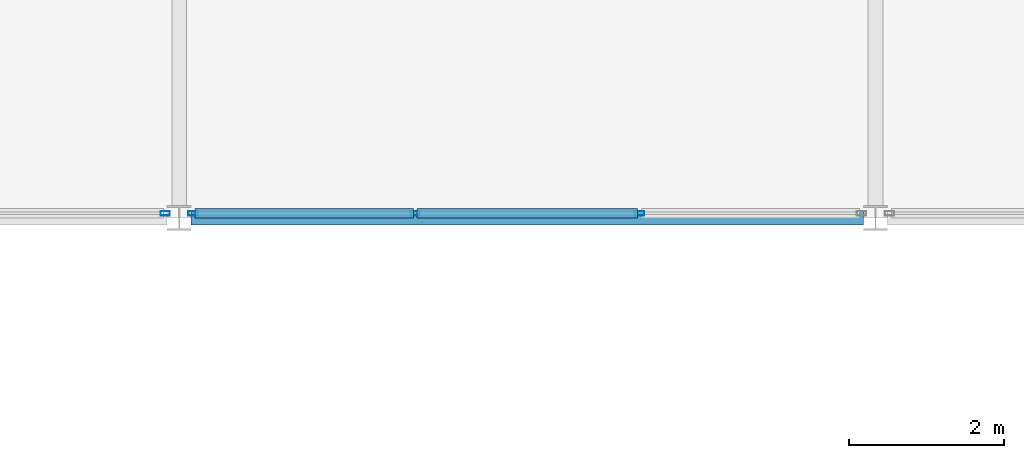
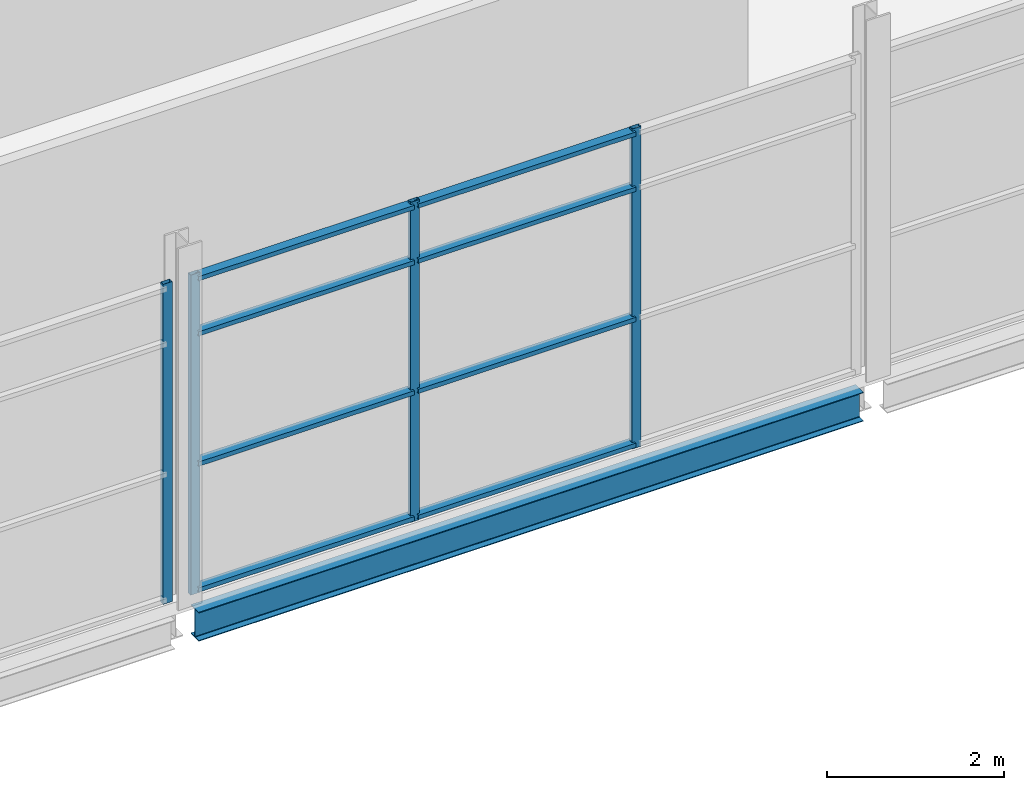
# One storey, part 48 of 112: 12 members, 1 beam, 2 elements without a shape of their own.
"""IFC4 building model written with IfcOpenShell, lengths in metres."""

from ifc_helpers import new_model, si_unit, direction, frame, origin, origin_2d, place, context, subcontext, project, spatial, hollow_rectangle, i_section, extrude, material, layer, layer_set, material_profile, profile_set, type_object, element, aggregate, save


model = new_model("IFC4")

# Units and contexts
model_context = context("Model", 3, precision=1e-05, world=origin(), true_north=direction((0.0, 1.0)))
body_context = subcontext(model_context, "Body", "Model", "MODEL_VIEW")
ifc_project = project(units=[si_unit("LENGTHUNIT", "METRE"), si_unit("AREAUNIT", "SQUARE_METRE"), si_unit("VOLUMEUNIT", "CUBIC_METRE"), si_unit("PLANEANGLEUNIT", "RADIAN"), si_unit("MASSUNIT", "GRAM", prefix="KILO")], contexts=[model_context])

# Site, building, storey
site_placement = place(None, origin())
site = spatial("IfcSite", under=ifc_project, at=site_placement, CompositionType="ELEMENT")
building_placement = place(site_placement, origin())
building = spatial("IfcBuilding", under=site, at=building_placement, Name="Shorebreak Coast Museum", CompositionType="ELEMENT")
storey_placement = place(building_placement, frame((0.0, 0.0, 6.0)))
storey = spatial("IfcBuildingStorey", under=building, at=storey_placement, Name="L01", CompositionType="ELEMENT", Elevation=6.0)

# Beam
ifc_material_1 = material(Name="Steel Grade 300", Category="steel")
ifc_material_profile_1 = material_profile(ifc_material_1, i_section(OverallWidth=0.177978515625, OverallDepth=0.402587890625, WebThickness=0.007568359375, FlangeThickness=0.010986328125, FilletRadius=0.011474609375, at=origin_2d()), Name="410UB53.7")
ifc_profile_set_1 = profile_set([ifc_material_profile_1], Name="Steel Grade 300")
beam_type = type_object("IfcBeamType", Name="Floor girder east-west 410UB53.7", PredefinedType="BEAM", material=ifc_profile_set_1)
beam_placement = place(storey_placement, frame((90.155517578125, 81.0, -0.376220703125), z_axis=(1.0, 0.0, 0.0), x_axis=(0.0, 1.0, 0.0)))
element("IfcBeam", 1, at=beam_placement, inside=storey, type_object=beam_type, Name="Floor girder east-west L01 11K", PredefinedType="BEAM", context=body_context, shape_type="SweptSolid", body=[
    extrude(i_section(OverallWidth=0.177978515625, OverallDepth=0.402587890625, WebThickness=0.007568359375, FlangeThickness=0.010986328125, FilletRadius=0.011474609375, at=origin_2d()), origin(), (0.0, 0.0, 1.0), 8.68896484375),
])

# Curtain wall, member
ifc_material_2 = material(Name="Aluminium", Category="aluminium")
ifc_layer = layer(ifc_material_2, 0.1201171875)
ifc_layer_set = layer_set([ifc_layer], Name="Aluminium")
curtain_wall_type = type_object("IfcCurtainWallType", Name="Atrium fire screen", PredefinedType="NOTDEFINED", material=ifc_layer_set)
curtain_wall_1_placement = place(storey_placement, origin())
curtain_wall_1 = element("IfcCurtainWall", 2, at=curtain_wall_1_placement, inside=storey, type_object=curtain_wall_type, Name="Atrium screen L01 N 9", PredefinedType="NOTDEFINED")
ifc_material_3 = material(Name="Aluminium", Category="aluminium")
ifc_material_profile_2 = material_profile(ifc_material_3, hollow_rectangle(XDim=0.06005859375, YDim=0.1201171875, WallThickness=0.00341796875, at=origin_2d()), Name="AL 120x60 RHS")
ifc_profile_set_2 = profile_set([ifc_material_profile_2], Name="Aluminium")
member_type_1 = type_object("IfcMemberType", Name="Screen mullion 50 x 120", PredefinedType="MULLION", material=ifc_profile_set_2)
member_1_placement = place(storey_placement, frame((89.819580078125, 81.06005859375, 0.0), z_axis=(0.0, 0.0, 1.0), x_axis=(0.0, 1.0, 0.0)))
member_1 = element("IfcMember", 3, at=member_1_placement, type_object=member_type_1, Name="CW4 mullion 4", PredefinedType="MULLION", context=body_context, shape_type="SweptSolid", body=[
    extrude(hollow_rectangle(XDim=0.06005859375, YDim=0.1201171875, WallThickness=0.00341796875, at=origin_2d()), origin(), (0.0, 0.0, 1.0), 4.42236328125),
])
aggregate(curtain_wall_1, [member_1])

# Curtain wall, members
curtain_wall_2_placement = place(storey_placement, origin())
curtain_wall_2 = element("IfcCurtainWall", 4, at=curtain_wall_2_placement, inside=storey, type_object=curtain_wall_type, Name="Atrium screen L01 N 10", PredefinedType="NOTDEFINED")
member_2_placement = place(storey_placement, frame((90.180419921875, 81.06005859375, 0.0), z_axis=(0.0, 0.0, 1.0), x_axis=(0.0, 1.0, 0.0)))
member_2 = element("IfcMember", 5, at=member_2_placement, type_object=member_type_1, Name="CW5 mullion 1", PredefinedType="MULLION", context=body_context, shape_type="SweptSolid", body=[
    extrude(hollow_rectangle(XDim=0.06005859375, YDim=0.1201171875, WallThickness=0.00341796875, at=origin_2d()), origin(), (0.0, 0.0, 1.0), 4.42236328125),
])
member_3_placement = place(storey_placement, frame((93.0517578125, 81.06005859375, 0.0), z_axis=(0.0, 0.0, 1.0), x_axis=(0.0, 1.0, 0.0)))
member_3 = element("IfcMember", 6, at=member_3_placement, type_object=member_type_1, Name="CW5 mullion 2", PredefinedType="MULLION", context=body_context, shape_type="SweptSolid", body=[
    extrude(hollow_rectangle(XDim=0.06005859375, YDim=0.1201171875, WallThickness=0.00341796875, at=origin_2d()), origin(), (0.0, 0.0, 1.0), 4.42236328125),
])
member_4_placement = place(storey_placement, frame((95.9482421875, 81.06005859375, 0.0), z_axis=(0.0, 0.0, 1.0), x_axis=(0.0, 1.0, 0.0)))
member_4 = element("IfcMember", 7, at=member_4_placement, type_object=member_type_1, Name="CW5 mullion 3", PredefinedType="MULLION", context=body_context, shape_type="SweptSolid", body=[
    extrude(hollow_rectangle(XDim=0.06005859375, YDim=0.1201171875, WallThickness=0.00341796875, at=origin_2d()), origin(), (0.0, 0.0, 1.0), 4.42236328125),
])
ifc_material_4 = material(Name="Aluminium", Category="aluminium")
ifc_material_profile_3 = material_profile(ifc_material_4, hollow_rectangle(XDim=0.1201171875, YDim=0.06005859375, WallThickness=0.00341796875, at=origin_2d()), Name="AL 60x120 RHS")
ifc_profile_set_3 = profile_set([ifc_material_profile_3], Name="Aluminium")
member_type_2 = type_object("IfcMemberType", Name="Screen transom 120 x 50", PredefinedType="USERDEFINED", material=ifc_profile_set_3)
member_5_placement = place(storey_placement, frame((90.20556640625, 81.06005859375, 0.06005859375), z_axis=(1.0, 0.0, 0.0), x_axis=(0.0, 1.0, 0.0)))
member_5 = element("IfcMember", 8, at=member_5_placement, type_object=member_type_2, Name="CW5 transom 1.1", ObjectType="TRANSOM", PredefinedType="USERDEFINED", context=body_context, shape_type="SweptSolid", body=[
    extrude(hollow_rectangle(XDim=0.1201171875, YDim=0.06005859375, WallThickness=0.00341796875, at=origin_2d()), origin(), (0.0, 0.0, 1.0), 2.8212890625),
])
member_6_placement = place(storey_placement, frame((90.20556640625, 81.06005859375, 1.800048828125), z_axis=(1.0, 0.0, 0.0), x_axis=(0.0, 1.0, 0.0)))
member_6 = element("IfcMember", 9, at=member_6_placement, type_object=member_type_2, Name="CW5 transom 1.2", ObjectType="TRANSOM", PredefinedType="USERDEFINED", context=body_context, shape_type="SweptSolid", body=[
    extrude(hollow_rectangle(XDim=0.1201171875, YDim=0.06005859375, WallThickness=0.00341796875, at=origin_2d()), origin(), (0.0, 0.0, 1.0), 2.8212890625),
])
member_7_placement = place(storey_placement, frame((90.20556640625, 81.06005859375, 3.60009765625), z_axis=(1.0, 0.0, 0.0), x_axis=(0.0, 1.0, 0.0)))
member_7 = element("IfcMember", 10, at=member_7_placement, type_object=member_type_2, Name="CW5 transom 1.3", ObjectType="TRANSOM", PredefinedType="USERDEFINED", context=body_context, shape_type="SweptSolid", body=[
    extrude(hollow_rectangle(XDim=0.1201171875, YDim=0.06005859375, WallThickness=0.00341796875, at=origin_2d()), origin(), (0.0, 0.0, 1.0), 2.8212890625),
])
member_8_placement = place(storey_placement, frame((90.20556640625, 81.06005859375, 4.3623046875), z_axis=(1.0, 0.0, 0.0), x_axis=(0.0, 1.0, 0.0)))
member_8 = element("IfcMember", 11, at=member_8_placement, type_object=member_type_2, Name="CW5 transom 1.4", ObjectType="TRANSOM", PredefinedType="USERDEFINED", context=body_context, shape_type="SweptSolid", body=[
    extrude(hollow_rectangle(XDim=0.1201171875, YDim=0.06005859375, WallThickness=0.00341796875, at=origin_2d()), origin(), (0.0, 0.0, 1.0), 2.8212890625),
])
member_9_placement = place(storey_placement, frame((93.076904296875, 81.06005859375, 0.06005859375), z_axis=(1.0, 0.0, 0.0), x_axis=(0.0, 1.0, 0.0)))
member_9 = element("IfcMember", 12, at=member_9_placement, type_object=member_type_2, Name="CW5 transom 2.1", ObjectType="TRANSOM", PredefinedType="USERDEFINED", context=body_context, shape_type="SweptSolid", body=[
    extrude(hollow_rectangle(XDim=0.1201171875, YDim=0.06005859375, WallThickness=0.00341796875, at=origin_2d()), origin(), (0.0, 0.0, 1.0), 2.84619140625),
])
member_10_placement = place(storey_placement, frame((93.076904296875, 81.06005859375, 1.800048828125), z_axis=(1.0, 0.0, 0.0), x_axis=(0.0, 1.0, 0.0)))
member_10 = element("IfcMember", 13, at=member_10_placement, type_object=member_type_2, Name="CW5 transom 2.2", ObjectType="TRANSOM", PredefinedType="USERDEFINED", context=body_context, shape_type="SweptSolid", body=[
    extrude(hollow_rectangle(XDim=0.1201171875, YDim=0.06005859375, WallThickness=0.00341796875, at=origin_2d()), origin(), (0.0, 0.0, 1.0), 2.84619140625),
])
member_11_placement = place(storey_placement, frame((93.076904296875, 81.06005859375, 3.60009765625), z_axis=(1.0, 0.0, 0.0), x_axis=(0.0, 1.0, 0.0)))
member_11 = element("IfcMember", 14, at=member_11_placement, type_object=member_type_2, Name="CW5 transom 2.3", ObjectType="TRANSOM", PredefinedType="USERDEFINED", context=body_context, shape_type="SweptSolid", body=[
    extrude(hollow_rectangle(XDim=0.1201171875, YDim=0.06005859375, WallThickness=0.00341796875, at=origin_2d()), origin(), (0.0, 0.0, 1.0), 2.84619140625),
])
member_12_placement = place(storey_placement, frame((93.076904296875, 81.06005859375, 4.3623046875), z_axis=(1.0, 0.0, 0.0), x_axis=(0.0, 1.0, 0.0)))
member_12 = element("IfcMember", 15, at=member_12_placement, type_object=member_type_2, Name="CW5 transom 2.4", ObjectType="TRANSOM", PredefinedType="USERDEFINED", context=body_context, shape_type="SweptSolid", body=[
    extrude(hollow_rectangle(XDim=0.1201171875, YDim=0.06005859375, WallThickness=0.00341796875, at=origin_2d()), origin(), (0.0, 0.0, 1.0), 2.84619140625),
])
aggregate(curtain_wall_2, [member_2, member_3, member_4, member_5, member_6, member_7, member_8, member_9, member_10, member_11, member_12])

save(model, "model.ifc")
